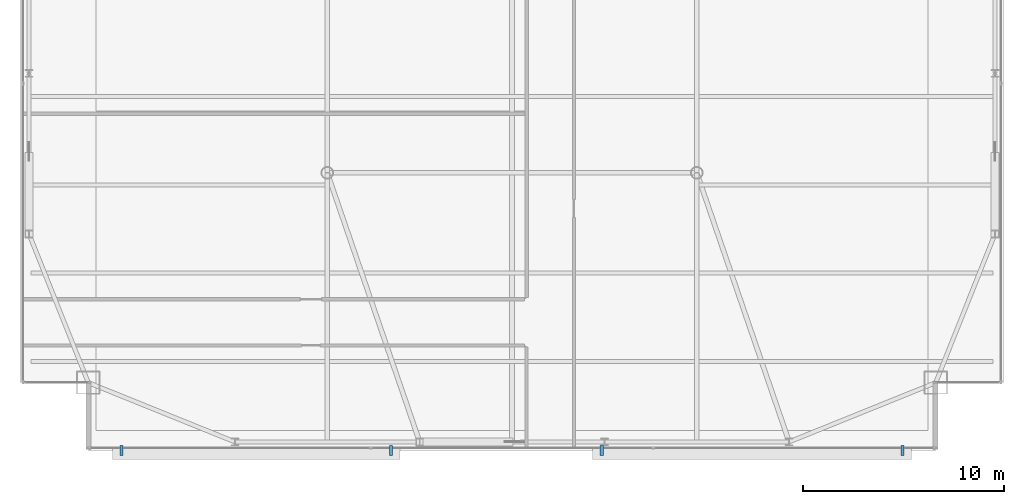
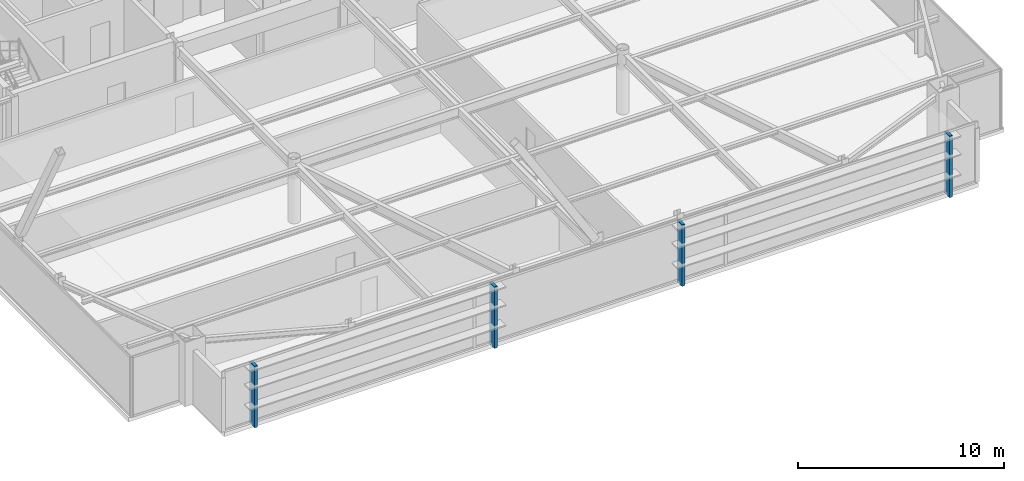
# One storey, part 26 of 27: 4 discrete accessories.
"""IFC4 building model written with IfcOpenShell, lengths in metres."""

from ifc_helpers import new_model, si_unit, direction, frame, origin, origin_2d, place, context, subcontext, project, spatial, rectangle, extrude, source, transform, mapped, material, layer, layer_set, type_object, type_shapes, element, save


model = new_model("IFC4")

# Units and contexts
model_context = context("Model", 3, precision=1e-05, world=origin(), true_north=direction((0.0, 1.0)))
body_context = subcontext(model_context, "Body", "Model", "MODEL_VIEW")
ifc_project = project(units=[si_unit("LENGTHUNIT", "METRE"), si_unit("AREAUNIT", "SQUARE_METRE"), si_unit("VOLUMEUNIT", "CUBIC_METRE"), si_unit("PLANEANGLEUNIT", "RADIAN"), si_unit("MASSUNIT", "GRAM", prefix="KILO")], contexts=[model_context])

# Site, building, storey
site_placement = place(None, origin())
site = spatial("IfcSite", under=ifc_project, at=site_placement, CompositionType="ELEMENT")
building_placement = place(site_placement, origin())
building = spatial("IfcBuilding", under=site, at=building_placement, Name="Varnel Quay Broadcast Tower", CompositionType="ELEMENT")
storey_placement = place(building_placement, frame((0.0, 0.0, 243.199951171875)))
storey = spatial("IfcBuildingStorey", under=building, at=storey_placement, Name="L60", CompositionType="ELEMENT", Elevation=243.199951171875)

# Discrete accessories
ifc_material = material(Name="Anodised Bronze Aluminium 6063-T6", Category="aluminium")
ifc_layer = layer(ifc_material, 0.47998046875, Name="Anodised Bronze Aluminium 6063-T6")
ifc_layer_set = layer_set([ifc_layer], Name="Anodised Bronze Aluminium 6063-T6")
discrete_accessory_type = type_object("IfcDiscreteAccessoryType", Name="Acc_FacadeBracket", PredefinedType="BRACKET", material=ifc_layer_set)
shared_shape = source(origin(), body_context, "Body", "SweptSolid", [
    extrude(rectangle(XDim=0.159912109375, YDim=0.47998046875, at=origin_2d()), origin(), (0.0, 0.0, 1.0), 3.64990234375),
])
type_shapes(discrete_accessory_type, [shared_shape])
for number, where, z_axis, x_axis, name in (
    (1, (14.550048828125, 10.219970703125, -0.14990234375), (0.0, 0.0, 1.0), (1.0, 0.0, 0.0), "L60 Lobe 1 Louvre Support Bracket 1"),
    (2, (27.970947265625, 10.219970703125, -0.14990234375), (0.0, 0.0, 1.0), (1.0, 0.0, 0.0), "L60 Lobe 1 Louvre Support Bracket 2"),
    (3, (38.470947265625, 10.219970703125, -0.14990234375), (0.0, 0.0, 1.0), (1.0, 0.0, 0.0), "L60 Lobe 2 Louvre Support Bracket 1"),
    (4, (53.449951171875, 10.219970703125, -0.14990234375), (0.0, 0.0, 1.0), (1.0, 0.0, 0.0), "L60 Lobe 2 Louvre Support Bracket 2"),
):
    element("IfcDiscreteAccessory", number, at=place(storey_placement, frame(where, z_axis=z_axis, x_axis=x_axis)), inside=storey, type_object=discrete_accessory_type, Name=name, PredefinedType="BRACKET", context=body_context, shape_type="MappedRepresentation", body=[
        mapped(shared_shape, transform((0.0, 0.0, 0.0), x_axis=(1.0, 0.0, 0.0), y_axis=(0.0, 1.0, 0.0), z_axis=(0.0, 0.0, 1.0), scale=1.0)),
    ])

save(model, "model.ifc")
